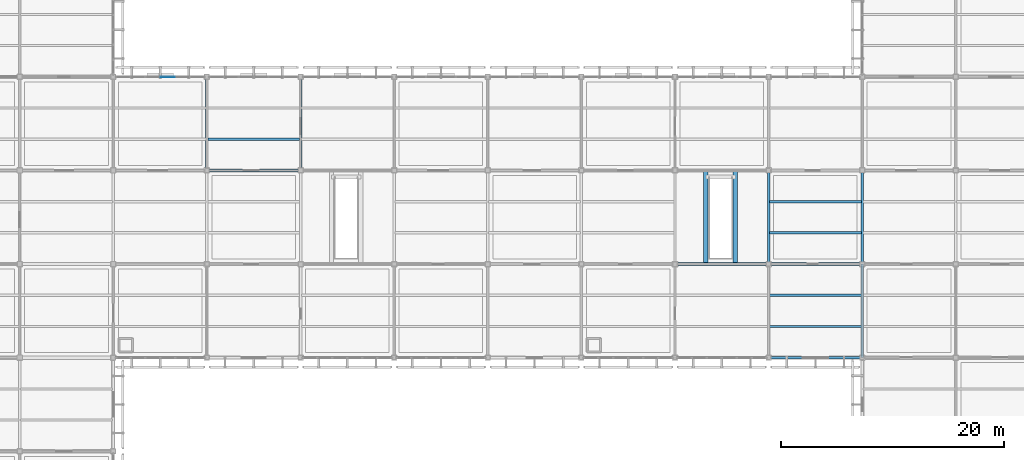
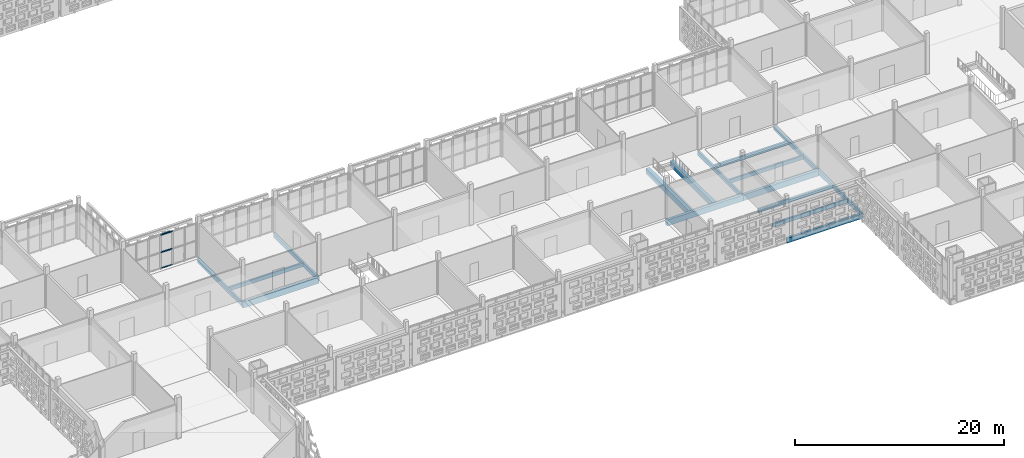
# One storey, part 34 of 203: 16 beams, 3 members, 1 element without a shape of its own.
"""IFC4 building model written with IfcOpenShell, lengths in metres."""

import ifcopenshell
import ifcopenshell.guid

model = None  # the IFC model being written
_history = None  # IfcOwnerHistory: only IFC2X3 demands one
_inside = {}  # id of a spatial element -> (the spatial element, [elements in it])
_under = {}  # id of a project, library or spatial element -> (it, [spatial elements below it])
_declared = {}  # id of a project -> (the project, [libraries it declares])
_typed = {}  # id of a type object -> (the type object, [elements of that type])
_made_of = {}  # id of a material, layer set ... -> (it, [elements and type objects made of it])


def new_model(schema):
    """Start an empty IFC model of exactly this schema.

    Asked for "IFC4X3", IfcOpenShell would pick the latest addendum, in which some entities
    have other attributes; the version numbers below select the first issue.
    IFC2X3 requires an IfcOwnerHistory on every rooted entity: one is made here for all.
    """
    global model, _history
    if schema == "IFC4X3":
        model = ifcopenshell.file(schema_version=(4, 3, 0, 0))
    else:
        model = ifcopenshell.file(schema=schema)
    _inside.clear()
    _under.clear()
    _declared.clear()
    _typed.clear()
    _made_of.clear()
    _history = None
    if model.schema == "IFC2X3":
        org = make("IfcOrganization", Name="unknown")
        user = make(
            "IfcPersonAndOrganization",
            ThePerson=make("IfcPerson", FamilyName="unknown"),
            TheOrganization=org,
        )
        app = make(
            "IfcApplication",
            ApplicationDeveloper=org,
            Version="unknown",
            ApplicationFullName="unknown",
            ApplicationIdentifier="unknown",
        )
        _history = make(
            "IfcOwnerHistory",
            OwningUser=user,
            OwningApplication=app,
            ChangeAction="ADDED",
            CreationDate=0,
        )
    return model


def make(cls, **values):
    """One entity of the class cls with the attributes given. An attribute that is None is left unset."""
    return model.create_entity(
        cls, **{name: value for name, value in values.items() if value is not None}
    )


def rooted(cls, **values):
    """An entity with a GlobalId (a new one), such as an element, a storey or a relation."""
    return make(cls, GlobalId=ifcopenshell.guid.new(), OwnerHistory=_history, **values)


def si_unit(unit_type, name, prefix=None):
    """IfcSIUnit, for example si_unit("LENGTHUNIT", "METRE", prefix="MILLI")."""
    return make("IfcSIUnit", UnitType=unit_type, Prefix=prefix, Name=name)


def assignment(units):
    """IfcUnitAssignment: the units of a project."""
    return None if units is None else make("IfcUnitAssignment", Units=units)


def point(xyz):
    """IfcCartesianPoint."""
    return None if xyz is None else make("IfcCartesianPoint", Coordinates=xyz)


def direction(xyz):
    """IfcDirection."""
    return None if xyz is None else make("IfcDirection", DirectionRatios=xyz)


def frame(location, z_axis=None, x_axis=None):
    """IfcAxis2Placement3D, a coordinate frame: its origin and axes. An axis left out is left unset."""
    return make(
        "IfcAxis2Placement3D",
        Location=point(location),
        Axis=direction(z_axis),
        RefDirection=direction(x_axis),
    )


def frame_2d(location, x_axis=None):
    """IfcAxis2Placement2D, a coordinate frame in the plane: its origin and x axis."""
    return make(
        "IfcAxis2Placement2D", Location=point(location), RefDirection=direction(x_axis)
    )


def origin():
    """The frame at (0, 0, 0) with its axes left unset."""
    return frame((0.0, 0.0, 0.0))


def origin_2d():
    """The frame at (0, 0) in the plane with its x axis left unset."""
    return frame_2d((0.0, 0.0))


def place(relative_to, where):
    """IfcLocalPlacement: puts the frame where relative to a parent placement (None: the world)."""
    return make(
        "IfcLocalPlacement", PlacementRelTo=relative_to, RelativePlacement=where
    )


def context(
    kind, dimensions, precision=None, world=None, true_north=None, identifier=None
):
    """IfcGeometricRepresentationContext, for example the 3D "Model" context."""
    return make(
        "IfcGeometricRepresentationContext",
        ContextIdentifier=identifier,
        ContextType=kind,
        CoordinateSpaceDimension=dimensions,
        Precision=precision,
        WorldCoordinateSystem=world,
        TrueNorth=true_north,
    )


def subcontext(parent, identifier, kind, view, scale=None):
    """IfcGeometricRepresentationSubContext, for example "Body" below "Model"."""
    return make(
        "IfcGeometricRepresentationSubContext",
        ContextIdentifier=identifier,
        ContextType=kind,
        ParentContext=parent,
        TargetScale=scale,
        TargetView=view,
    )


def project(units=None, contexts=None):
    """IfcProject with its units and contexts."""
    return rooted(
        "IfcProject",
        Name="project",
        RepresentationContexts=contexts,
        UnitsInContext=assignment(units),
    )


def spatial(cls, under=None, at=None, **own):
    """A site, building, storey or space (cls), placed at a placement, below another one or the project."""
    s = rooted(cls, ObjectPlacement=at, **own)
    if under is not None:
        _under.setdefault(under.id(), (under, []))[1].append(s)
    return s


def profile(cls, at=None, kind="AREA", **sizes):
    """A parametric profile (cls). Its sizes go by their IFC names, for example OverallWidth=200.0."""
    return make(cls, ProfileType=kind, Position=at, **sizes)


def rectangle(**sizes):
    """IfcRectangleProfileDef."""
    return profile("IfcRectangleProfileDef", **sizes)


def extrude(swept, where, along, depth):
    """IfcExtrudedAreaSolid: the profile swept, set in the frame where, extruded along a direction by depth."""
    return make(
        "IfcExtrudedAreaSolid",
        SweptArea=swept,
        Position=where,
        ExtrudedDirection=direction(along),
        Depth=depth,
    )


def shape(context_of_items, identifier, shape_type, items):
    """IfcShapeRepresentation: the items that make up one representation, for example the "Body"."""
    return make(
        "IfcShapeRepresentation",
        ContextOfItems=context_of_items,
        RepresentationIdentifier=identifier,
        RepresentationType=shape_type,
        Items=items,
    )


def material(Name=None, Category=None):
    """IfcMaterial."""
    return make("IfcMaterial", Name=Name, Category=Category)


def layer(
    of_material, thickness, ventilated=None, Name=None, Category=None, Priority=None
):
    """IfcMaterialLayer: one layer of a wall or slab, of a material (None: an air gap)."""
    return make(
        "IfcMaterialLayer",
        Material=of_material,
        LayerThickness=thickness,
        IsVentilated=ventilated,
        Name=Name,
        Category=Category,
        Priority=Priority,
    )


def layer_set(layers, Name=None):
    """IfcMaterialLayerSet."""
    return make("IfcMaterialLayerSet", MaterialLayers=layers, LayerSetName=Name)


def material_profile(
    of_material, cross_section, Name=None, Category=None, Priority=None
):
    """IfcMaterialProfile: a cross section and its material."""
    return make(
        "IfcMaterialProfile",
        Name=Name,
        Material=of_material,
        Profile=cross_section,
        Priority=Priority,
        Category=Category,
    )


def profile_set(profiles, Name=None, composite=None):
    """IfcMaterialProfileSet."""
    return make(
        "IfcMaterialProfileSet",
        Name=Name,
        MaterialProfiles=profiles,
        CompositeProfile=composite,
    )


def made_of(thing, what):
    """Note that an element or type object is made of a material, layer set ...; save() writes the relation."""
    if what is not None:
        _made_of.setdefault(what.id(), (what, []))[1].append(thing)
    return thing


def type_object(cls, material=None, **own):
    """A type object (cls), such as IfcWallType, which elements share."""
    return made_of(rooted(cls, **own), material)


def element(
    cls,
    number,
    at=None,
    inside=None,
    cuts=None,
    type_object=None,
    material=None,
    context=None,
    identifier="Body",
    shape_type=None,
    held_by="IfcProductDefinitionShape",
    body=None,
    shapes=None,
    **own,
):
    """One element of the class cls, such as IfcWall. Its Tag is "e" and its number.

    at: its placement. inside: the storey or other place that contains it. cuts: it is an
    opening in that element (IfcRelVoidsElement). A single representation is given by context,
    identifier, shape_type and body (its items); several are given by shapes. held_by: the class
    of the entity that holds the representations. save() writes the other relations.
    """
    e = rooted(cls, Tag="e%d" % number, ObjectPlacement=at, **own)
    if body is not None:
        shapes = [shape(context, identifier, shape_type, body)]
    if shapes is not None:
        e.Representation = make(held_by, Representations=shapes)
    if inside is not None:
        _inside.setdefault(inside.id(), (inside, []))[1].append(e)
    if cuts is not None:
        rooted(
            "IfcRelVoidsElement", RelatingBuildingElement=cuts, RelatedOpeningElement=e
        )
    if type_object is not None:
        _typed.setdefault(type_object.id(), (type_object, []))[1].append(e)
    return made_of(e, material)


def aggregate(whole, parts):
    """IfcRelAggregates: a whole, such as a stair, and the parts it consists of."""
    return rooted("IfcRelAggregates", RelatingObject=whole, RelatedObjects=parts)


def save(model, path):
    """Write the relations noted so far, then the file.

    IfcRelAggregates (storeys below a building ...), IfcRelContainedInSpatialStructure (elements
    in a storey), IfcRelDefinesByType, IfcRelAssociatesMaterial and IfcRelDeclares: one each for
    every whole, place, type object, material and project.
    """
    for whole, parts in _under.values():
        aggregate(whole, parts)
    for where, things in _inside.values():
        rooted(
            "IfcRelContainedInSpatialStructure",
            RelatedElements=things,
            RelatingStructure=where,
        )
    for kind, things in _typed.values():
        rooted("IfcRelDefinesByType", RelatedObjects=things, RelatingType=kind)
    for what, things in _made_of.values():
        rooted("IfcRelAssociatesMaterial", RelatedObjects=things, RelatingMaterial=what)
    for by, libraries in _declared.values():
        rooted("IfcRelDeclares", RelatingContext=by, RelatedDefinitions=libraries)
    model.write(path)


model = new_model("IFC4")

# Units and contexts
model_context = context("Model", 3, precision=1e-05, world=origin(), true_north=direction((0.0, 1.0)))
body_context = subcontext(model_context, "Body", "Model", "MODEL_VIEW")
ifc_project = project(units=[si_unit("LENGTHUNIT", "METRE"), si_unit("AREAUNIT", "SQUARE_METRE"), si_unit("VOLUMEUNIT", "CUBIC_METRE"), si_unit("PLANEANGLEUNIT", "RADIAN"), si_unit("MASSUNIT", "GRAM", prefix="KILO")], contexts=[model_context])

# Site, building, storey
site_placement = place(None, origin())
site = spatial("IfcSite", under=ifc_project, at=site_placement, CompositionType="ELEMENT")
building_placement = place(site_placement, origin())
building = spatial("IfcBuilding", under=site, at=building_placement, Name="Varnapada Polytechnic", CompositionType="ELEMENT")
storey_placement = place(building_placement, frame((0.0, 0.0, 4.800048828125)))
storey = spatial("IfcBuildingStorey", under=building, at=storey_placement, Name="L01", CompositionType="ELEMENT", Elevation=4.800048828125)

# Beams
ifc_material_1 = material(Name="Glulam GL32h", Category="wood")
ifc_material_profile_1 = material_profile(ifc_material_1, rectangle(XDim=0.199951171875, YDim=0.43994140625, at=origin_2d()), Name="GL 200x440")
ifc_profile_set_1 = profile_set([ifc_material_profile_1], Name="Glulam GL32h")
beam_type_1 = type_object("IfcBeamType", Name="Heavy laboratory glulam joist GJ-03 (GL 200x440)", PredefinedType="JOIST", material=ifc_profile_set_1)
for number, where, z_axis, x_axis, name in (
    (1, (67.280029296875, 36.39990234375, -0.469970703125), (1.0, 0.0, 0.0), (0.0, 1.0, 0.0), "L01 floor joist 9/5.1"),
    (2, (117.679931640625, 19.60009765625, -0.469970703125), (1.0, 0.0, 0.0), (0.0, 1.0, 0.0), "L01 floor joist 15/3.1"),
    (3, (117.679931640625, 22.39990234375, -0.469970703125), (1.0, 0.0, 0.0), (0.0, 1.0, 0.0), "L01 floor joist 15/3.2"),
    (4, (117.679931640625, 28.0, -0.469970703125), (1.0, 0.0, 0.0), (0.0, 1.0, 0.0), "L01 floor joist 15/4.1"),
    (5, (117.679931640625, 30.800048828125, -0.469970703125), (1.0, 0.0, 0.0), (0.0, 1.0, 0.0), "L01 floor joist 15/4.2"),
):
    element("IfcBeam", number, at=place(storey_placement, frame(where, z_axis=z_axis, x_axis=x_axis)), inside=storey, type_object=beam_type_1, Name=name, PredefinedType="JOIST", context=body_context, shape_type="SweptSolid", body=[
        extrude(rectangle(XDim=0.199951171875, YDim=0.43994140625, at=origin_2d()), origin(), (0.0, 0.0, 1.0), 8.239990234375),
    ])
ifc_material_profile_2 = material_profile(ifc_material_1, rectangle(XDim=0.239990234375, YDim=0.56005859375, at=origin_2d()), Name="GL 240x560")
ifc_profile_set_2 = profile_set([ifc_material_profile_2], Name="Glulam GL32h")
beam_type_2 = type_object("IfcBeamType", Name="Perimeter glulam spandrel beam SP-02 (GL 240x560)", PredefinedType="SPANDREL", material=ifc_profile_set_2)
beam_1_placement = place(storey_placement, frame((117.60009765625, 16.800048828125, -0.530029296875), z_axis=(1.0, 0.0, 0.0), x_axis=(0.0, 1.0, 0.0)))
element("IfcBeam", 6, at=beam_1_placement, inside=storey, type_object=beam_type_2, Name="L01 beam X 15-16 at Y3", PredefinedType="SPANDREL", context=body_context, shape_type="SweptSolid", body=[
    extrude(rectangle(XDim=0.239990234375, YDim=0.56005859375, at=origin_2d()), origin(), (0.0, 0.0, 1.0), 8.39990234375),
])
ifc_material_2 = material(Name="Concrete C40/50", Category="concrete")
ifc_material_profile_3 = material_profile(ifc_material_2, rectangle(XDim=0.39990234375, YDim=0.64990234375, at=origin_2d()), Name="RC 400x650")
ifc_profile_set_3 = profile_set([ifc_material_profile_3], Name="Concrete C40/50")
beam_type_3 = type_object("IfcBeamType", Name="Podium framing beam BB-02 (RC 400x650)", PredefinedType="BEAM", material=ifc_profile_set_3)
for number, where, z_axis, x_axis, name in (
    (7, (111.97998046875, 25.199951171875, -0.5849609375), (0.0, 1.0, 0.0), (-1.0, 0.0, 0.0), "L01 feature stair ST-F6 trimmer girder L"),
    (8, (114.6201171875, 25.199951171875, -0.5849609375), (0.0, 1.0, 0.0), (-1.0, 0.0, 0.0), "L01 feature stair ST-F6 trimmer girder R"),
):
    element("IfcBeam", number, at=place(storey_placement, frame(where, z_axis=z_axis, x_axis=x_axis)), inside=storey, type_object=beam_type_3, Name=name, PredefinedType="BEAM", context=body_context, shape_type="SweptSolid", body=[
        extrude(rectangle(XDim=0.39990234375, YDim=0.64990234375, at=origin_2d()), origin(), (0.0, 0.0, 1.0), 8.400146484375),
    ])

# Curtain wall, members
ifc_material_3 = material(Name="Double low-E laminated glass", Category="glass")
ifc_layer = layer(ifc_material_3, 0.159912109375)
ifc_layer_set = layer_set([ifc_layer], Name="Double low-E laminated glass")
curtain_wall_type = type_object("IfcCurtainWallType", Name="Curtain Wall CW-01", PredefinedType="NOTDEFINED", material=ifc_layer_set)
curtain_wall_placement = place(storey_placement, origin())
curtain_wall = element("IfcCurtainWall", 9, at=curtain_wall_placement, inside=storey, type_object=curtain_wall_type, Name="L01 unitised curtain wall CW-01 (56)", PredefinedType="NOTDEFINED")
ifc_material_4 = material(Name="Anodised aluminium", Category="aluminium")
ifc_material_profile_4 = material_profile(ifc_material_4, rectangle(XDim=0.06005859375, YDim=0.1201171875, at=origin_2d()), Name="ALU T60x120")
ifc_profile_set_4 = profile_set([ifc_material_profile_4], Name="Anodised aluminium")
member_type = type_object("IfcMemberType", Name="Transom T-01", PredefinedType="USERDEFINED", material=ifc_profile_set_4)
member_1_placement = place(storey_placement, frame((63.0400390625, 42.0, 0.030029296875), z_axis=(1.0, 0.0, 0.0), x_axis=(0.0, 1.0, 0.0)))
member_1 = element("IfcMember", 10, at=member_1_placement, type_object=member_type, Name="CW-01 transom 4.1", ObjectType="TRANSOM", PredefinedType="USERDEFINED", context=body_context, shape_type="SweptSolid", body=[
    extrude(rectangle(XDim=0.06005859375, YDim=0.1201171875, at=origin_2d()), origin(), (0.0, 0.0, 1.0), 1.273193359375),
])
member_2_placement = place(storey_placement, frame((63.0400390625, 42.0, 1.900634765625), z_axis=(1.0, 0.0, 0.0), x_axis=(0.0, 1.0, 0.0)))
member_2 = element("IfcMember", 11, at=member_2_placement, type_object=member_type, Name="CW-01 transom 4.2", ObjectType="TRANSOM", PredefinedType="USERDEFINED", context=body_context, shape_type="SweptSolid", body=[
    extrude(rectangle(XDim=0.06005859375, YDim=0.1201171875, at=origin_2d()), origin(), (0.0, 0.0, 1.0), 1.273193359375),
])
member_3_placement = place(storey_placement, frame((63.0400390625, 42.0, 3.929931640625), z_axis=(1.0, 0.0, 0.0), x_axis=(0.0, 1.0, 0.0)))
member_3 = element("IfcMember", 12, at=member_3_placement, type_object=member_type, Name="CW-01 transom 4.3", ObjectType="TRANSOM", PredefinedType="USERDEFINED", context=body_context, shape_type="SweptSolid", body=[
    extrude(rectangle(XDim=0.06005859375, YDim=0.1201171875, at=origin_2d()), origin(), (0.0, 0.0, 1.0), 1.273193359375),
])
aggregate(curtain_wall, [member_1, member_2, member_3])

# Beams
ifc_material_profile_5 = material_profile(ifc_material_1, rectangle(XDim=0.219970703125, YDim=0.47998046875, at=origin_2d()), Name="GL 220x480")
ifc_profile_set_5 = profile_set([ifc_material_profile_5], Name="Glulam GL32h")
beam_type_4 = type_object("IfcBeamType", Name="Upper floor glulam tie beam GB-11 (GL 220x480)", PredefinedType="BEAM", material=ifc_profile_set_5)
for number, where, z_axis, x_axis, name in (
    (13, (67.199951171875, 33.60009765625, -0.489990234375), (0.0, 1.0, 0.0), (-1.0, 0.0, 0.0), "L01 beam Y 5-6 at X9"),
    (14, (75.60009765625, 33.60009765625, -0.489990234375), (0.0, 1.0, 0.0), (-1.0, 0.0, 0.0), "L01 beam Y 5-6 at X10"),
):
    element("IfcBeam", number, at=place(storey_placement, frame(where, z_axis=z_axis, x_axis=x_axis)), inside=storey, type_object=beam_type_4, Name=name, PredefinedType="BEAM", context=body_context, shape_type="SweptSolid", body=[
        extrude(rectangle(XDim=0.219970703125, YDim=0.47998046875, at=origin_2d()), origin(), (0.0, 0.0, 1.0), 8.39990234375),
    ])
beam_2_placement = place(storey_placement, frame((117.60009765625, 25.199951171875, -0.489990234375), z_axis=(0.0, 1.0, 0.0), x_axis=(-1.0, 0.0, 0.0)))
element("IfcBeam", 15, at=beam_2_placement, inside=storey, type_object=beam_type_4, Name="L01 beam Y 4-5 at X15", PredefinedType="BEAM", context=body_context, shape_type="SweptSolid", body=[
    extrude(rectangle(XDim=0.219970703125, YDim=0.47998046875, at=origin_2d()), origin(), (0.0, 0.0, 1.0), 8.400146484375),
])
beam_3_placement = place(storey_placement, frame((126.0, 16.800048828125, -0.489990234375), z_axis=(0.0, 1.0, 0.0), x_axis=(-1.0, 0.0, 0.0)))
element("IfcBeam", 16, at=beam_3_placement, inside=storey, type_object=beam_type_4, Name="L01 beam Y 3-4 at X16", PredefinedType="BEAM", context=body_context, shape_type="SweptSolid", body=[
    extrude(rectangle(XDim=0.219970703125, YDim=0.47998046875, at=origin_2d()), origin(), (0.0, 0.0, 1.0), 8.39990234375),
])
beam_4_placement = place(storey_placement, frame((126.0, 25.199951171875, -0.489990234375), z_axis=(0.0, 1.0, 0.0), x_axis=(-1.0, 0.0, 0.0)))
element("IfcBeam", 17, at=beam_4_placement, inside=storey, type_object=beam_type_4, Name="L01 beam Y 4-5 at X16", PredefinedType="BEAM", context=body_context, shape_type="SweptSolid", body=[
    extrude(rectangle(XDim=0.219970703125, YDim=0.47998046875, at=origin_2d()), origin(), (0.0, 0.0, 1.0), 8.400146484375),
])
ifc_material_profile_6 = material_profile(ifc_material_1, rectangle(XDim=0.300048828125, YDim=0.679931640625, at=origin_2d()), Name="GL 300x680")
ifc_profile_set_6 = profile_set([ifc_material_profile_6], Name="Glulam GL32h")
beam_type_5 = type_object("IfcBeamType", Name="Wet laboratory glulam girder GG-04 (GL 300x680)", PredefinedType="BEAM", material=ifc_profile_set_6)
for number, where, z_axis, x_axis, name in (
    (18, (67.199951171875, 33.60009765625, -0.590087890625), (1.0, 0.0, 0.0), (0.0, 1.0, 0.0), "L01 beam X 9-10 at Y5"),
    (19, (109.199951171875, 25.199951171875, -0.590087890625), (1.0, 0.0, 0.0), (0.0, 1.0, 0.0), "L01 beam X 14-15 at Y4"),
):
    element("IfcBeam", number, at=place(storey_placement, frame(where, z_axis=z_axis, x_axis=x_axis)), inside=storey, type_object=beam_type_5, Name=name, PredefinedType="BEAM", context=body_context, shape_type="SweptSolid", body=[
        extrude(rectangle(XDim=0.300048828125, YDim=0.679931640625, at=origin_2d()), origin(), (0.0, 0.0, 1.0), 8.400146484375),
    ])
beam_5_placement = place(storey_placement, frame((117.60009765625, 25.199951171875, -0.590087890625), z_axis=(1.0, 0.0, 0.0), x_axis=(0.0, 1.0, 0.0)))
element("IfcBeam", 20, at=beam_5_placement, inside=storey, type_object=beam_type_5, Name="L01 beam X 15-16 at Y4", PredefinedType="BEAM", context=body_context, shape_type="SweptSolid", body=[
    extrude(rectangle(XDim=0.300048828125, YDim=0.679931640625, at=origin_2d()), origin(), (0.0, 0.0, 1.0), 8.39990234375),
])

save(model, "model.ifc")
